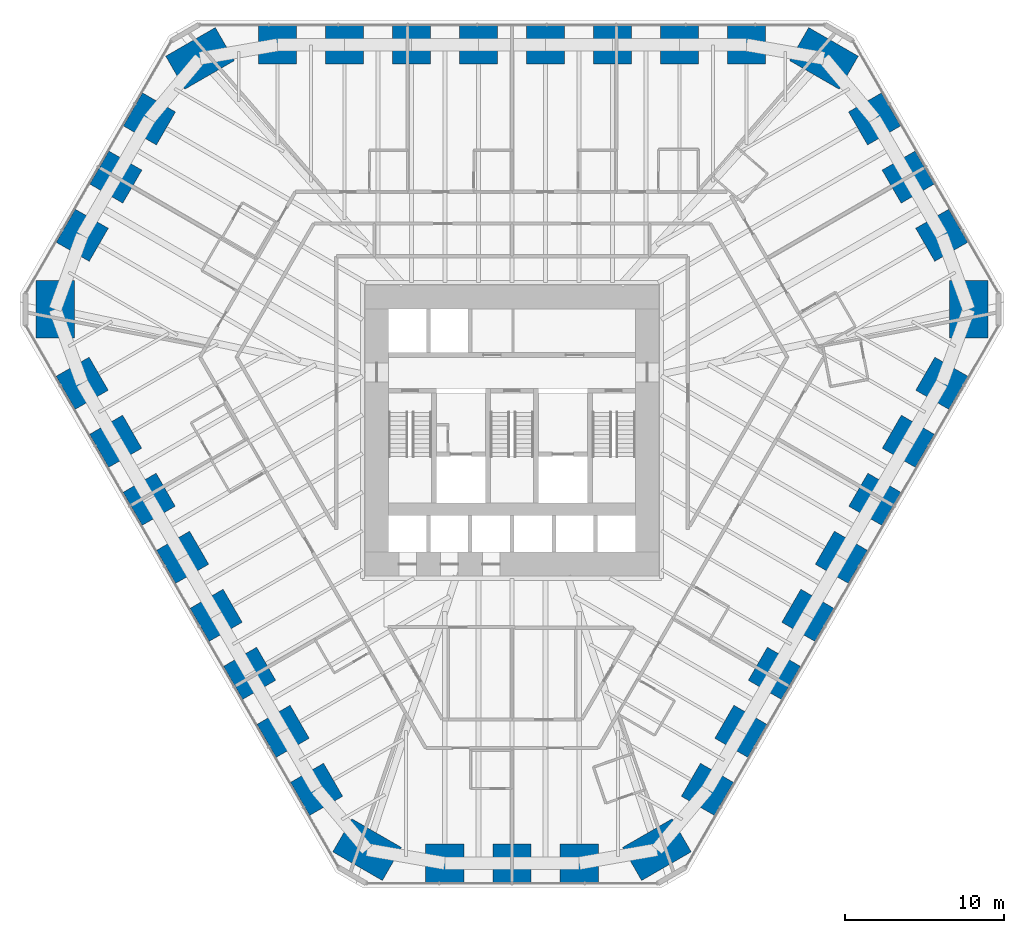
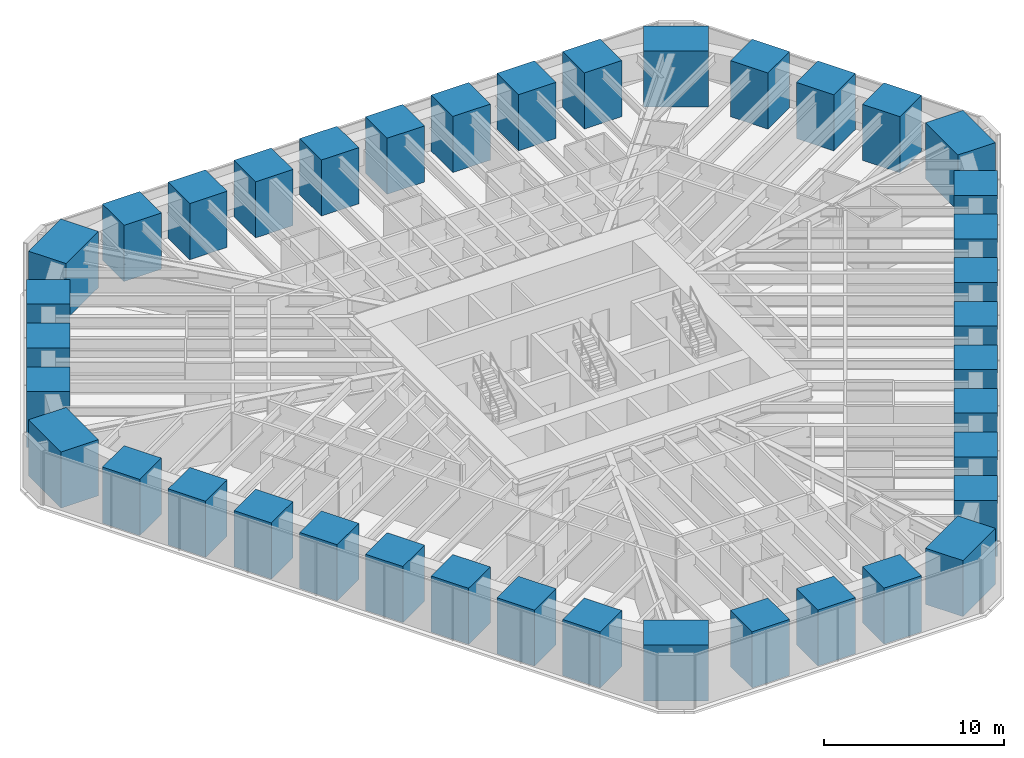
# One storey, part 1 of 17: 39 columns.
"""IFC4 building model written with IfcOpenShell, lengths in metres."""

from ifc_helpers import new_model, si_unit, direction, frame, origin, origin_2d, place, context, subcontext, project, spatial, rectangle, extrude, material, material_profile, profile_set, type_object, element, save


model = new_model("IFC4")

# Units and contexts
model_context = context("Model", 3, precision=1e-05, world=origin(), true_north=direction((0.0, 1.0)))
body_context = subcontext(model_context, "Body", "Model", "MODEL_VIEW")
ifc_project = project(units=[si_unit("LENGTHUNIT", "METRE"), si_unit("AREAUNIT", "SQUARE_METRE"), si_unit("VOLUMEUNIT", "CUBIC_METRE"), si_unit("PLANEANGLEUNIT", "RADIAN"), si_unit("MASSUNIT", "GRAM", prefix="KILO")], contexts=[model_context])

# Site, building, storey
site_placement = place(None, origin())
site = spatial("IfcSite", under=ifc_project, at=site_placement, CompositionType="ELEMENT")
building_placement = place(site_placement, origin())
building = spatial("IfcBuilding", under=site, at=building_placement, Name="Sandreach Pilgrim Tower", CompositionType="ELEMENT")
storey_placement = place(building_placement, frame((0.0, 0.0, 45.800048828125)))
storey = spatial("IfcBuildingStorey", under=building, at=storey_placement, Name="L10", CompositionType="ELEMENT", Elevation=45.800048828125)

# Columns
ifc_material_1 = material(Name="Concrete 10000 psi", Category="concrete")
ifc_material_profile_1 = material_profile(ifc_material_1, rectangle(XDim=2.39990234375, YDim=2.39990234375, at=origin_2d()), Name="RC2400X2400")
ifc_profile_set_1 = profile_set([ifc_material_profile_1], Name="Concrete 10000 psi")
column_type_1 = type_object("IfcColumnType", Name="Tube column RC2400X2400", PredefinedType="COLUMN", material=ifc_profile_set_1)
for number, where, z_axis, x_axis, name in (
    (1, (-14.734619140625, 22.688720703125, 0.0), (0.0, 0.0, 1.0), (0.0, 1.0, 0.0), "COL L10 T01"),
    (2, (-10.52490234375, 22.688720703125, 0.0), (0.0, 0.0, 1.0), (0.0, 1.0, 0.0), "COL L10 T02"),
    (3, (-6.31494140625, 22.688720703125, 0.0), (0.0, 0.0, 1.0), (0.0, 1.0, 0.0), "COL L10 T03"),
    (4, (-2.10498046875, 22.688720703125, 0.0), (0.0, 0.0, 1.0), (0.0, 1.0, 0.0), "COL L10 T04"),
    (5, (2.10498046875, 22.688720703125, 0.0), (0.0, 0.0, 1.0), (0.0, 1.0, 0.0), "COL L10 T05"),
    (6, (6.31494140625, 22.688720703125, 0.0), (0.0, 0.0, 1.0), (0.0, 1.0, 0.0), "COL L10 T06"),
    (7, (10.52490234375, 22.688720703125, 0.0), (0.0, 0.0, 1.0), (0.0, 1.0, 0.0), "COL L10 T07"),
    (8, (14.734619140625, 22.688720703125, 0.0), (0.0, 0.0, 1.0), (0.0, 1.0, 0.0), "COL L10 T08"),
    (9, (22.787841796875, 18.031982421875, 0.0), (0.0, 0.0, 1.0), (0.866025403784, 0.5, 0.0), "COL L10 T10"),
    (10, (24.89892578125, 14.37548828125, 0.0), (0.0, 0.0, 1.0), (0.866025403784, 0.5, 0.0), "COL L10 T11"),
    (11, (27.01025390625, 10.71875, 0.0), (0.0, 0.0, 1.0), (0.866025403784, 0.5, 0.0), "COL L10 T12"),
    (12, (27.016357421875, 1.416259765625, 0.0), (0.0, 0.0, 1.0), (0.866025403784, -0.5, 0.0), "COL L10 T14"),
    (13, (24.911376953125, -2.229736328125, 0.0), (0.0, 0.0, 1.0), (0.866025403784, -0.5, 0.0), "COL L10 T15"),
    (14, (22.806396484375, -5.87548828125, 0.0), (0.0, 0.0, 1.0), (0.866025403784, -0.5, 0.0), "COL L10 T16"),
    (15, (20.701416015625, -9.521484375, 0.0), (0.0, 0.0, 1.0), (0.866025403784, -0.5, 0.0), "COL L10 T17"),
    (16, (18.596435546875, -13.167236328125, 0.0), (0.0, 0.0, 1.0), (0.866025403784, -0.5, 0.0), "COL L10 T18"),
    (17, (16.491455078125, -16.813232421875, 0.0), (0.0, 0.0, 1.0), (0.866025403784, -0.5, 0.0), "COL L10 T19"),
    (18, (14.38671875, -20.458984375, 0.0), (0.0, 0.0, 1.0), (0.866025403784, -0.5, 0.0), "COL L10 T20"),
    (19, (12.28173828125, -24.10498046875, 0.0), (0.0, 0.0, 1.0), (0.866025403784, -0.5, 0.0), "COL L10 T21"),
    (20, (4.222412109375, -28.7509765625, 0.0), (0.0, 0.0, 1.0), (0.0, -1.0, 0.0), "COL L10 T23"),
    (21, (0.0, -28.7509765625, 0.0), (0.0, 0.0, 1.0), (0.0, -1.0, 0.0), "COL L10 T24"),
    (22, (-4.222412109375, -28.7509765625, 0.0), (0.0, 0.0, 1.0), (0.0, -1.0, 0.0), "COL L10 T25"),
    (23, (-12.28173828125, -24.10498046875, 0.0), (0.0, 0.0, 1.0), (-0.866025403784, -0.5, 0.0), "COL L10 T27"),
    (24, (-14.38671875, -20.458984375, 0.0), (0.0, 0.0, 1.0), (-0.866025403784, -0.5, 0.0), "COL L10 T28"),
    (25, (-16.491455078125, -16.813232421875, 0.0), (0.0, 0.0, 1.0), (-0.866025403784, -0.5, 0.0), "COL L10 T29"),
    (26, (-18.596435546875, -13.167236328125, 0.0), (0.0, 0.0, 1.0), (-0.866025403784, -0.5, 0.0), "COL L10 T30"),
    (27, (-20.701416015625, -9.521484375, 0.0), (0.0, 0.0, 1.0), (-0.866025403784, -0.5, 0.0), "COL L10 T31"),
    (28, (-22.806396484375, -5.87548828125, 0.0), (0.0, 0.0, 1.0), (-0.866025403784, -0.5, 0.0), "COL L10 T32"),
    (29, (-24.911376953125, -2.229736328125, 0.0), (0.0, 0.0, 1.0), (-0.866025403784, -0.5, 0.0), "COL L10 T33"),
    (30, (-27.016357421875, 1.416259765625, 0.0), (0.0, 0.0, 1.0), (-0.866025403784, -0.5, 0.0), "COL L10 T34"),
    (31, (-27.01025390625, 10.71875, 0.0), (0.0, 0.0, 1.0), (-0.866025403784, 0.5, 0.0), "COL L10 T36"),
    (32, (-24.89892578125, 14.37548828125, 0.0), (0.0, 0.0, 1.0), (-0.866025403784, 0.5, 0.0), "COL L10 T37"),
    (33, (-22.787841796875, 18.031982421875, 0.0), (0.0, 0.0, 1.0), (-0.866025403784, 0.5, 0.0), "COL L10 T38"),
):
    element("IfcColumn", number, at=place(storey_placement, frame(where, z_axis=z_axis, x_axis=x_axis)), inside=storey, type_object=column_type_1, Name=name, PredefinedType="COLUMN", context=body_context, shape_type="SweptSolid", body=[
        extrude(rectangle(XDim=2.39990234375, YDim=2.39990234375, at=origin_2d()), origin(), (0.0, 0.0, 1.0), 3.800048828125),
    ])
ifc_material_2 = material(Name="Concrete 10000 psi", Category="concrete")
ifc_material_profile_2 = material_profile(ifc_material_2, rectangle(XDim=2.39990234375, YDim=3.60009765625, at=origin_2d()), Name="RC2400X3600")
ifc_profile_set_2 = profile_set([ifc_material_profile_2], Name="Concrete 10000 psi")
column_type_2 = type_object("IfcColumnType", Name="Tube corner pier RC2400X3600", PredefinedType="COLUMN", material=ifc_profile_set_2)
for number, where, z_axis, x_axis, name in (
    (34, (19.6064453125, 21.834716796875, 0.0), (0.0, 0.0, 1.0), (0.5, 0.866025403784, 0.0), "COL L10 T09"),
    (35, (28.712646484375, 6.062255859375, 0.0), (0.0, 0.0, 1.0), (1.0, 0.0, 0.0), "COL L10 T13"),
    (36, (9.1064453125, -27.89697265625, 0.0), (0.0, 0.0, 1.0), (0.5, -0.866025403784, 0.0), "COL L10 T22"),
    (37, (-9.1064453125, -27.89697265625, 0.0), (0.0, 0.0, 1.0), (-0.5, -0.866025403784, 0.0), "COL L10 T26"),
    (38, (-28.712646484375, 6.062255859375, 0.0), (0.0, 0.0, 1.0), (-1.0, 0.0, 0.0), "COL L10 T35"),
    (39, (-19.6064453125, 21.834716796875, 0.0), (0.0, 0.0, 1.0), (-0.5, 0.866025403784, 0.0), "COL L10 T39"),
):
    element("IfcColumn", number, at=place(storey_placement, frame(where, z_axis=z_axis, x_axis=x_axis)), inside=storey, type_object=column_type_2, Name=name, PredefinedType="COLUMN", context=body_context, shape_type="SweptSolid", body=[
        extrude(rectangle(XDim=2.39990234375, YDim=3.60009765625, at=origin_2d()), origin(), (0.0, 0.0, 1.0), 3.800048828125),
    ])

save(model, "model.ifc")
